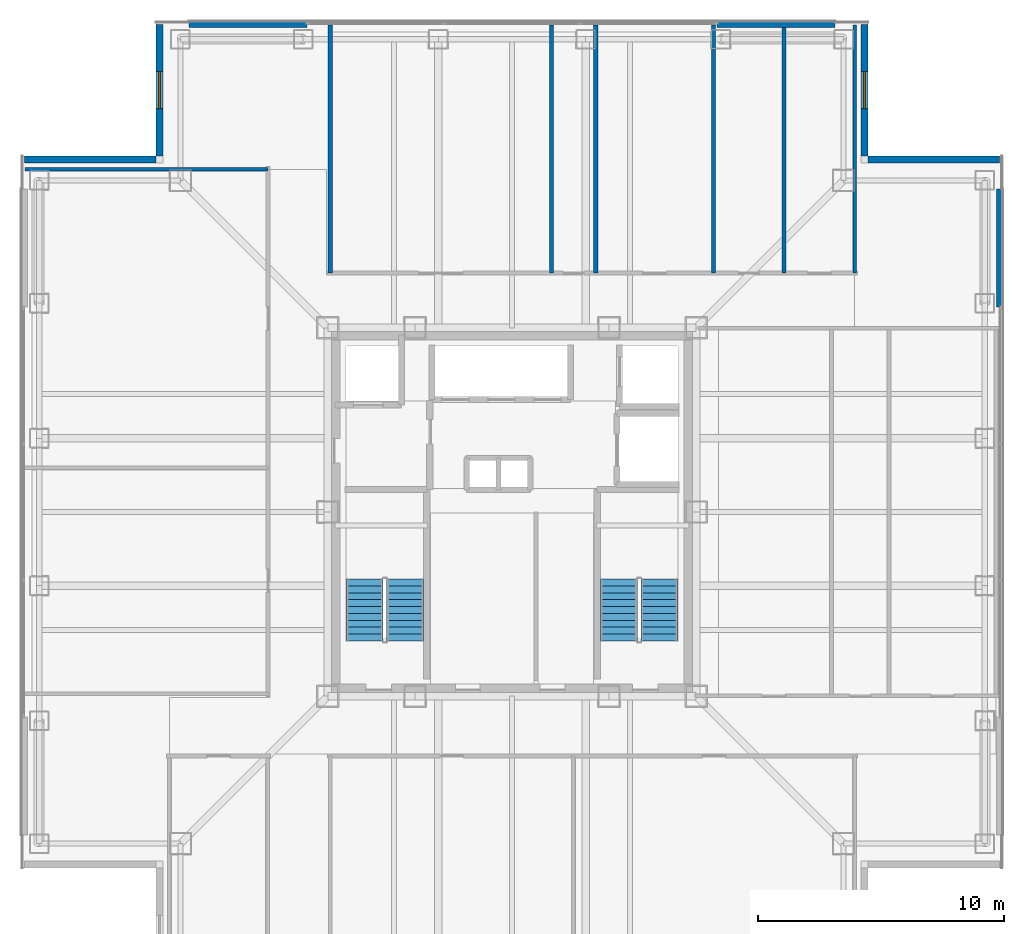
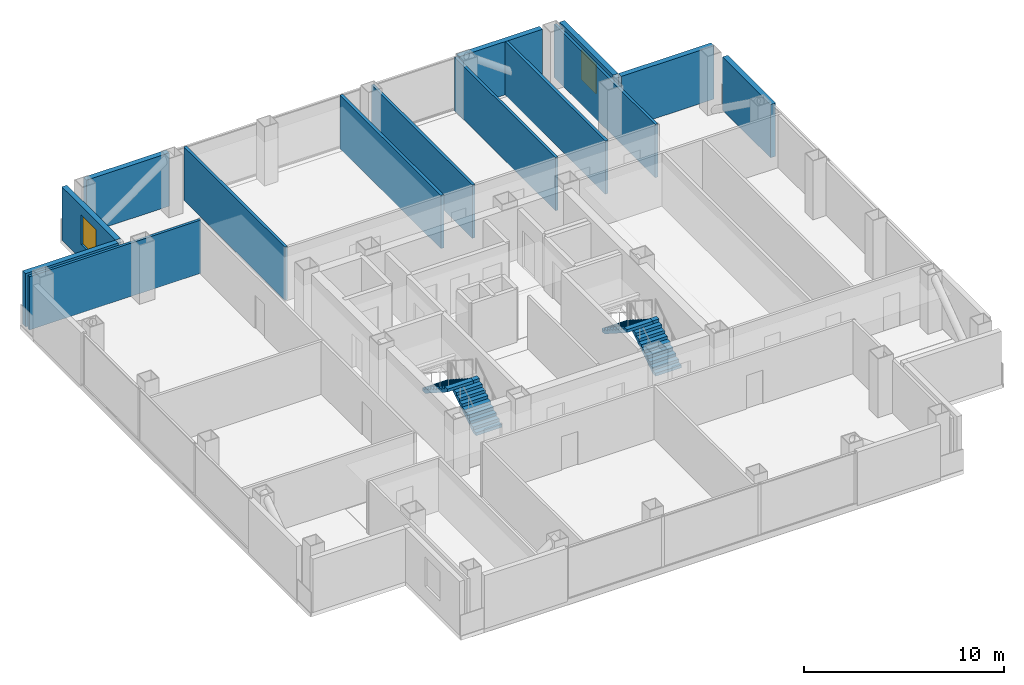
# One storey, part 10 of 16: 14 walls, 4 stair flights, 2 windows, 2 openings, 2 elements without a shape of their own.
"""IFC4 building model written with IfcOpenShell, lengths in metres."""

from ifc_helpers import new_model, si_unit, direction, frame, frame_2d, origin, place, context, subcontext, project, spatial, polyline, rectangle, outline, extrude, material, layer, layer_set, type_object, element, fill, aggregate, save


model = new_model("IFC4")

# Units and contexts
model_context = context("Model", 3, precision=1e-05, world=origin(), true_north=direction((0.0, 1.0)))
body_context = subcontext(model_context, "Body", "Model", "MODEL_VIEW")
ifc_project = project(units=[si_unit("LENGTHUNIT", "METRE"), si_unit("AREAUNIT", "SQUARE_METRE"), si_unit("VOLUMEUNIT", "CUBIC_METRE"), si_unit("PLANEANGLEUNIT", "RADIAN"), si_unit("MASSUNIT", "GRAM", prefix="KILO")], contexts=[model_context])

# Site, building, storey
site_placement = place(None, origin())
site = spatial("IfcSite", under=ifc_project, at=site_placement, CompositionType="ELEMENT")
building_placement = place(site_placement, origin())
building = spatial("IfcBuilding", under=site, at=building_placement, Name="Trevonay Congress Spire", CompositionType="ELEMENT")
storey_placement = place(building_placement, frame((0.0, 0.0, 223.800048828125)))
storey = spatial("IfcBuildingStorey", under=building, at=storey_placement, Name="L58", CompositionType="ELEMENT", Elevation=223.800048828125)

# Walls
ifc_material_1 = material(Name="Precast concrete C40/50", Category="concrete")
ifc_layer_1 = layer(ifc_material_1, 0.300048828125, Name="Precast concrete C40/50")
ifc_layer_set_1 = layer_set([ifc_layer_1], Name="Precast concrete C40/50")
wall_type_1 = type_object("IfcWallType", Name="WAL-EXT-PRECAST-300", PredefinedType="SOLIDWALL", material=ifc_layer_set_1)
for number, where, z_axis, x_axis, name in (
    (1, (-13.14990234375, 19.8798828125, 0.0), (0.0, 0.0, 1.0), (1.0, 0.0, 0.0), "L58 NL braced-bay exterior pier wall"),
    (2, (8.35009765625, 19.8798828125, 0.0), (0.0, 0.0, 1.0), (1.0, 0.0, 0.0), "L58 NR braced-bay exterior pier wall"),
    (3, (19.8798828125, 8.35009765625, 0.0), (0.0, 0.0, 1.0), (0.0, 1.0, 0.0), "L58 ER braced-bay exterior pier wall"),
):
    element("IfcWall", number, at=place(storey_placement, frame(where, z_axis=z_axis, x_axis=x_axis)), inside=storey, type_object=wall_type_1, Name=name, PredefinedType="SOLIDWALL", context=body_context, shape_type="SweptSolid", body=[
        extrude(rectangle(XDim=4.7998046875, YDim=0.300048828125, at=frame_2d((2.39990234375, 0.0))), origin(), (0.0, 0.0, 1.0), 3.25),
    ])

# Wall, opening, window
wall_1_placement = place(storey_placement, frame((14.35009765625, 19.85009765625, 0.0), z_axis=(0.0, 0.0, 1.0), x_axis=(0.0, -1.0, 0.0)))
wall_1 = element("IfcWall", 4, at=wall_1_placement, inside=storey, type_object=wall_type_1, Name="L58 NE re-entrant notch exterior wall 1", PredefinedType="SOLIDWALL", context=body_context, shape_type="SweptSolid", body=[
    extrude(rectangle(XDim=5.35009765625, YDim=0.300048828125, at=frame_2d((2.675048828125, 0.0))), origin(), (0.0, 0.0, 1.0), 3.25),
])
opening_1_placement = place(wall_1_placement, frame((1.925048828125, 0.0, 0.89990234375)))
opening_1 = element("IfcOpeningElement", 5, at=opening_1_placement, cuts=wall_1, Name="Opening WN03", PredefinedType="OPENING", context=body_context, shape_type="SweptSolid", body=[
    extrude(rectangle(XDim=1.5, YDim=1.800048828125, at=frame_2d((0.75, 0.89990234375))), frame((0.0, 0.16015625, 0.0), z_axis=(0.0, -1.0, 0.0), x_axis=(1.0, 0.0, 0.0)), (0.0, 0.0, 1.0), 0.320068359375),
])
ifc_material_2 = material(Name="Insulated Low-E Vision Glass IGU", Category="glass")
window_type = type_object("IfcWindowType", Name="WIN-NOTCH-150X180", PartitioningType="SINGLE_PANEL", PredefinedType="WINDOW", material=ifc_material_2)
window_1_placement = place(opening_1_placement, origin())
window_1 = element("IfcWindow", 6, at=window_1_placement, inside=storey, type_object=window_type, Name="L58 NE corner notch window", OverallHeight=1.800048828125, OverallWidth=1.5, PartitioningType="SINGLE_PANEL", PredefinedType="WINDOW", context=body_context, shape_type="SweptSolid", body=[
    extrude(rectangle(XDim=1.5, YDim=1.800048828125, at=frame_2d((0.75, 0.89990234375))), frame((0.0, 0.030029296875, 0.0), z_axis=(0.0, -1.0, 0.0), x_axis=(1.0, 0.0, 0.0)), (0.0, 0.0, 1.0), 0.06005859375),
])
fill(opening_1, window_1)

# Wall
wall_2_placement = place(storey_placement, frame((19.85009765625, 14.35009765625, 0.0), z_axis=(0.0, 0.0, 1.0), x_axis=(-1.0, 0.0, 0.0)))
element("IfcWall", 7, at=wall_2_placement, inside=storey, type_object=wall_type_1, Name="L58 NE re-entrant notch exterior wall 2", PredefinedType="SOLIDWALL", context=body_context, shape_type="SweptSolid", body=[
    extrude(rectangle(XDim=5.35009765625, YDim=0.300048828125, at=frame_2d((2.675048828125, 0.0))), origin(), (0.0, 0.0, 1.0), 3.25),
])

# Wall, opening, window
wall_3_placement = place(storey_placement, frame((-14.35009765625, 19.85009765625, 0.0), z_axis=(0.0, 0.0, 1.0), x_axis=(0.0, -1.0, 0.0)))
wall_3 = element("IfcWall", 8, at=wall_3_placement, inside=storey, type_object=wall_type_1, Name="L58 NW re-entrant notch exterior wall 1", PredefinedType="SOLIDWALL", context=body_context, shape_type="SweptSolid", body=[
    extrude(rectangle(XDim=5.35009765625, YDim=0.300048828125, at=frame_2d((2.675048828125, 0.0))), origin(), (0.0, 0.0, 1.0), 3.25),
])
opening_2_placement = place(wall_3_placement, frame((1.925048828125, 0.0, 0.89990234375)))
opening_2 = element("IfcOpeningElement", 9, at=opening_2_placement, cuts=wall_3, Name="Opening WN03", PredefinedType="OPENING", context=body_context, shape_type="SweptSolid", body=[
    extrude(rectangle(XDim=1.5, YDim=1.800048828125, at=frame_2d((0.75, 0.89990234375))), frame((0.0, 0.16015625, 0.0), z_axis=(0.0, -1.0, 0.0), x_axis=(1.0, 0.0, 0.0)), (0.0, 0.0, 1.0), 0.320068359375),
])
window_2_placement = place(opening_2_placement, origin())
window_2 = element("IfcWindow", 10, at=window_2_placement, inside=storey, type_object=window_type, Name="L58 NW corner notch window", OverallHeight=1.800048828125, OverallWidth=1.5, PartitioningType="SINGLE_PANEL", PredefinedType="WINDOW", context=body_context, shape_type="SweptSolid", body=[
    extrude(rectangle(XDim=1.5, YDim=1.800048828125, at=frame_2d((0.75, 0.89990234375))), frame((0.0, 0.030029296875, 0.0), z_axis=(0.0, -1.0, 0.0), x_axis=(1.0, 0.0, 0.0)), (0.0, 0.0, 1.0), 0.06005859375),
])
fill(opening_2, window_2)

# Walls
wall_4_placement = place(storey_placement, frame((-19.85009765625, 14.35009765625, 0.0), z_axis=(0.0, 0.0, 1.0), x_axis=(1.0, 0.0, 0.0)))
element("IfcWall", 11, at=wall_4_placement, inside=storey, type_object=wall_type_1, Name="L58 NW re-entrant notch exterior wall 2", PredefinedType="SOLIDWALL", context=body_context, shape_type="SweptSolid", body=[
    extrude(rectangle(XDim=5.35009765625, YDim=0.300048828125, at=frame_2d((2.675048828125, 0.0))), origin(), (0.0, 0.0, 1.0), 3.25),
])
ifc_material_3 = material(Name="Concrete C40/50", Category="concrete")
ifc_layer_2 = layer(ifc_material_3, 0.14990234375, Name="Concrete C40/50")
ifc_layer_set_2 = layer_set([ifc_layer_2], Name="Concrete C40/50")
wall_type_2 = type_object("IfcWallType", Name="WAL-PART-150", PredefinedType="PARTITIONING", material=ifc_layer_set_2)
wall_5_placement = place(storey_placement, frame((-19.820068359375, 13.949951171875, 0.0), z_axis=(0.0, 0.0, 1.0), x_axis=(1.0, 0.0, 0.0)))
element("IfcWall", 12, at=wall_5_placement, inside=storey, type_object=wall_type_2, Name="L58 interior wall WP-L58NW-DIV3", PredefinedType="PARTITIONING", context=body_context, shape_type="SweptSolid", body=[
    extrude(rectangle(XDim=9.89013671875, YDim=0.14990234375, at=frame_2d((4.945068359375, 0.0))), origin(), (0.0, 0.0, 1.0), 3.25),
])
for number, where, z_axis, x_axis, name in (
    (13, (8.199951171875, 9.72998046875, 0.0), (0.0, 0.0, 1.0), (0.0, 1.0, 0.0), "L58 interior wall WP-L58N-DIV3"),
    (14, (13.949951171875, 9.72998046875, 0.0), (0.0, 0.0, 1.0), (0.0, 1.0, 0.0), "L58 interior wall WP-L58N-DIV4"),
):
    element("IfcWall", number, at=place(storey_placement, frame(where, z_axis=z_axis, x_axis=x_axis)), inside=storey, type_object=wall_type_2, Name=name, PredefinedType="PARTITIONING", context=body_context, shape_type="SweptSolid", body=[
        extrude(rectangle(XDim=10.090087890625, YDim=0.14990234375, at=frame_2d((5.044921875, 0.0))), origin(), (0.0, 0.0, 1.0), 3.25),
    ])
ifc_layer_3 = layer(ifc_material_3, 0.1650390625, Name="Concrete C40/50")
ifc_layer_set_3 = layer_set([ifc_layer_3], Name="Concrete C40/50")
wall_type_3 = type_object("IfcWallType", Name="WAL-WET-165", PredefinedType="PLUMBINGWALL", material=ifc_layer_set_3)
for number, where, z_axis, x_axis, name in (
    (15, (3.409912109375, 9.72998046875, 0.0), (0.0, 0.0, 1.0), (0.0, 1.0, 0.0), "L58 interior wall WP-L58N-WCS2"),
    (16, (11.080078125, 9.72998046875, 0.0), (0.0, 0.0, 1.0), (0.0, 1.0, 0.0), "L58 interior wall WP-L58N-WCS3"),
    (17, (-7.39990234375, 9.72998046875, 0.0), (0.0, 0.0, 1.0), (0.0, 1.0, 0.0), "L58 interior wall WP-L58N-DIV1"),
    (18, (1.60009765625, 9.72998046875, 0.0), (0.0, 0.0, 1.0), (0.0, 1.0, 0.0), "L58 interior wall WP-L58N-DIV2"),
):
    element("IfcWall", number, at=place(storey_placement, frame(where, z_axis=z_axis, x_axis=x_axis)), inside=storey, type_object=wall_type_3, Name=name, PredefinedType="PLUMBINGWALL", context=body_context, shape_type="SweptSolid", body=[
        extrude(rectangle(XDim=10.090087890625, YDim=0.1650390625, at=frame_2d((5.044921875, 0.0))), origin(), (0.0, 0.0, 1.0), 3.25),
    ])

# Stair, stair flights
stair_type_1 = type_object("IfcStairType", Name="STR-ST-1", PredefinedType="HALF_TURN_STAIR", material=ifc_material_3)
stair_1_placement = place(storey_placement, origin())
stair_1 = element("IfcStair", 19, at=stair_1_placement, inside=storey, type_object=stair_type_1, Name="L58 Protected Exit Stair ST-1", PredefinedType="HALF_TURN_STAIR")
stair_flight_type_1 = type_object("IfcStairFlightType", Name="SFL-ST-1", PredefinedType="STRAIGHT", material=ifc_material_3)
stair_flight_1_placement = place(storey_placement, frame((-4.35009765625, -5.25, 0.0), z_axis=(0.0, 0.0, 1.0), x_axis=(0.0, 1.0, 0.0)))
stair_flight_1 = element("IfcStairFlight", 20, at=stair_flight_1_placement, type_object=stair_flight_type_1, Name="ST-1 flight 1", NumberOfRisers=10, NumberOfTreads=9, PredefinedType="STRAIGHT", RiserHeight=0.18, TreadLength=0.28, context=body_context, shape_type="SweptSolid", body=[
    extrude(outline(polyline([(0.0, 0.0), (0.0, 0.179931640625), (0.280029296875, 0.179931640625), (0.280029296875, 0.360107421875), (0.56005859375, 0.360107421875), (0.56005859375, 0.5400390625), (0.840087890625, 0.5400390625), (0.840087890625, 0.719970703125), (1.1201171875, 0.719970703125), (1.1201171875, 0.89990234375), (1.39990234375, 0.89990234375), (1.39990234375, 1.080078125), (1.679931640625, 1.080078125), (1.679931640625, 1.260009765625), (1.9599609375, 1.260009765625), (1.9599609375, 1.43994140625), (2.239990234375, 1.43994140625), (2.239990234375, 1.6201171875), (2.52001953125, 1.6201171875), (2.52001953125, 1.800048828125), (2.52001953125, 1.44189453125), (0.277099609375, 0.0), (0.0, 0.0)])), frame((0.0, 0.75, 0.0), z_axis=(0.0, -1.0, 0.0), x_axis=(1.0, 0.0, 0.0)), (0.0, 0.0, 1.0), 1.5),
])
stair_flight_2_placement = place(storey_placement, frame((-6.0, -2.72998046875, 1.800048828125), z_axis=(0.0, 0.0, 1.0), x_axis=(0.0, -1.0, 0.0)))
stair_flight_2 = element("IfcStairFlight", 21, at=stair_flight_2_placement, type_object=stair_flight_type_1, Name="ST-1 flight 2", NumberOfRisers=10, NumberOfTreads=9, PredefinedType="STRAIGHT", RiserHeight=0.18, TreadLength=0.28, context=body_context, shape_type="SweptSolid", body=[
    extrude(outline(polyline([(0.0, 0.0), (0.0, 0.179931640625), (0.280029296875, 0.179931640625), (0.280029296875, 0.360107421875), (0.56005859375, 0.360107421875), (0.56005859375, 0.5400390625), (0.840087890625, 0.5400390625), (0.840087890625, 0.719970703125), (1.1201171875, 0.719970703125), (1.1201171875, 0.89990234375), (1.39990234375, 0.89990234375), (1.39990234375, 1.080078125), (1.679931640625, 1.080078125), (1.679931640625, 1.260009765625), (1.9599609375, 1.260009765625), (1.9599609375, 1.43994140625), (2.239990234375, 1.43994140625), (2.239990234375, 1.6201171875), (2.52001953125, 1.6201171875), (2.52001953125, 1.800048828125), (2.52001953125, 1.44189453125), (0.277099609375, 0.0), (0.0, 0.0)])), frame((0.0, 0.75, 0.0), z_axis=(0.0, -1.0, 0.0), x_axis=(1.0, 0.0, 0.0)), (0.0, 0.0, 1.0), 1.5),
])
aggregate(stair_1, [stair_flight_1, stair_flight_2])

stair_type_2 = type_object("IfcStairType", Name="STR-ST-2", PredefinedType="HALF_TURN_STAIR", material=ifc_material_3)
stair_2_placement = place(storey_placement, origin())
stair_2 = element("IfcStair", 22, at=stair_2_placement, inside=storey, type_object=stair_type_2, Name="L58 Protected Exit Stair ST-2", PredefinedType="HALF_TURN_STAIR")
stair_flight_type_2 = type_object("IfcStairFlightType", Name="SFL-ST-2", PredefinedType="STRAIGHT", material=ifc_material_3)
stair_flight_3_placement = place(storey_placement, frame((6.0, -5.25, 0.0), z_axis=(0.0, 0.0, 1.0), x_axis=(0.0, 1.0, 0.0)))
stair_flight_3 = element("IfcStairFlight", 23, at=stair_flight_3_placement, type_object=stair_flight_type_2, Name="ST-2 flight 1", NumberOfRisers=10, NumberOfTreads=9, PredefinedType="STRAIGHT", RiserHeight=0.18, TreadLength=0.28, context=body_context, shape_type="SweptSolid", body=[
    extrude(outline(polyline([(0.0, 0.0), (0.0, 0.179931640625), (0.280029296875, 0.179931640625), (0.280029296875, 0.360107421875), (0.56005859375, 0.360107421875), (0.56005859375, 0.5400390625), (0.840087890625, 0.5400390625), (0.840087890625, 0.719970703125), (1.1201171875, 0.719970703125), (1.1201171875, 0.89990234375), (1.39990234375, 0.89990234375), (1.39990234375, 1.080078125), (1.679931640625, 1.080078125), (1.679931640625, 1.260009765625), (1.9599609375, 1.260009765625), (1.9599609375, 1.43994140625), (2.239990234375, 1.43994140625), (2.239990234375, 1.6201171875), (2.52001953125, 1.6201171875), (2.52001953125, 1.800048828125), (2.52001953125, 1.44189453125), (0.277099609375, 0.0), (0.0, 0.0)])), frame((0.0, 0.75, 0.0), z_axis=(0.0, -1.0, 0.0), x_axis=(1.0, 0.0, 0.0)), (0.0, 0.0, 1.0), 1.5),
])
stair_flight_4_placement = place(storey_placement, frame((4.35009765625, -2.72998046875, 1.800048828125), z_axis=(0.0, 0.0, 1.0), x_axis=(0.0, -1.0, 0.0)))
stair_flight_4 = element("IfcStairFlight", 24, at=stair_flight_4_placement, type_object=stair_flight_type_2, Name="ST-2 flight 2", NumberOfRisers=10, NumberOfTreads=9, PredefinedType="STRAIGHT", RiserHeight=0.18, TreadLength=0.28, context=body_context, shape_type="SweptSolid", body=[
    extrude(outline(polyline([(0.0, 0.0), (0.0, 0.179931640625), (0.280029296875, 0.179931640625), (0.280029296875, 0.360107421875), (0.56005859375, 0.360107421875), (0.56005859375, 0.5400390625), (0.840087890625, 0.5400390625), (0.840087890625, 0.719970703125), (1.1201171875, 0.719970703125), (1.1201171875, 0.89990234375), (1.39990234375, 0.89990234375), (1.39990234375, 1.080078125), (1.679931640625, 1.080078125), (1.679931640625, 1.260009765625), (1.9599609375, 1.260009765625), (1.9599609375, 1.43994140625), (2.239990234375, 1.43994140625), (2.239990234375, 1.6201171875), (2.52001953125, 1.6201171875), (2.52001953125, 1.800048828125), (2.52001953125, 1.44189453125), (0.277099609375, 0.0), (0.0, 0.0)])), frame((0.0, 0.75, 0.0), z_axis=(0.0, -1.0, 0.0), x_axis=(1.0, 0.0, 0.0)), (0.0, 0.0, 1.0), 1.5),
])
aggregate(stair_2, [stair_flight_3, stair_flight_4])

save(model, "model.ifc")
